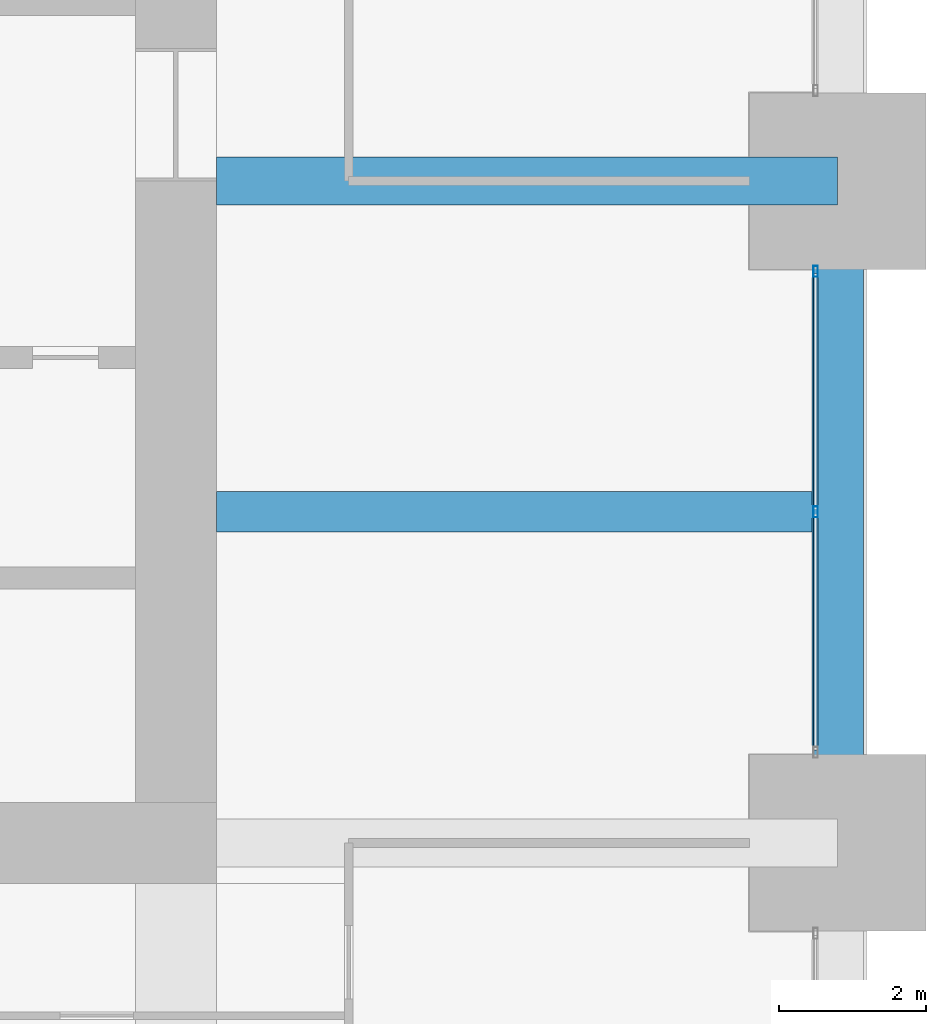
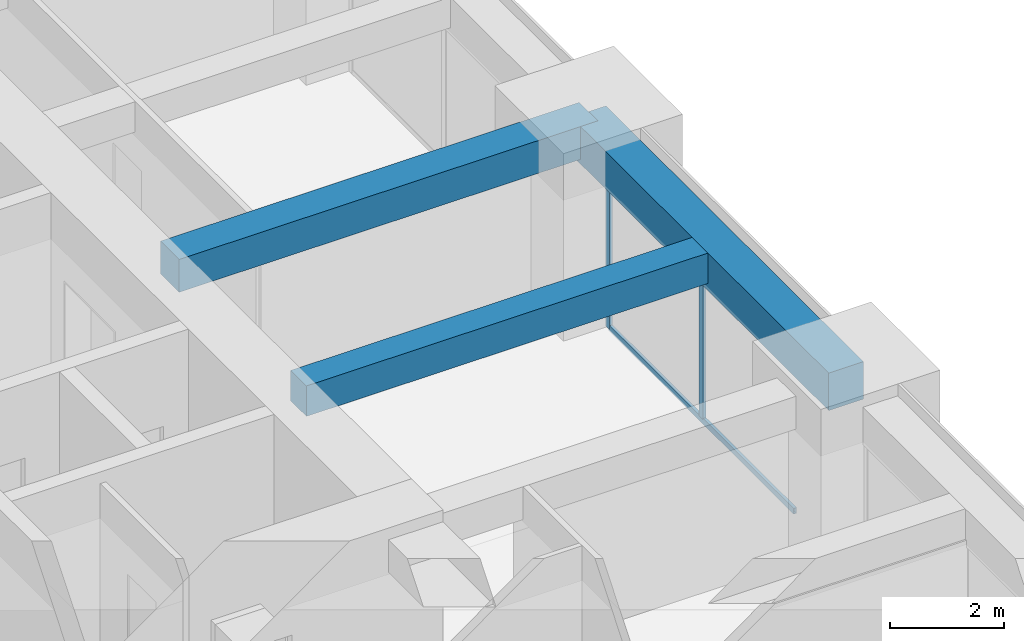
# One storey, part 18 of 33: 3 beams, 3 members, 1 element without a shape of its own.
"""IFC4 building model written with IfcOpenShell, lengths in metres."""

from ifc_helpers import new_model, si_unit, direction, frame, origin, origin_2d, place, context, subcontext, project, spatial, rectangle, hollow_rectangle, extrude, material, material_profile, profile_set, type_object, element, aggregate, save


model = new_model("IFC4")

# Units and contexts
model_context = context("Model", 3, precision=1e-05, world=origin(), true_north=direction((0.0, 1.0)))
body_context = subcontext(model_context, "Body", "Model", "MODEL_VIEW")
ifc_project = project(units=[si_unit("LENGTHUNIT", "METRE"), si_unit("AREAUNIT", "SQUARE_METRE"), si_unit("VOLUMEUNIT", "CUBIC_METRE"), si_unit("PLANEANGLEUNIT", "RADIAN"), si_unit("MASSUNIT", "GRAM", prefix="KILO")], contexts=[model_context])

# Site, building, storey
site_placement = place(None, origin())
site = spatial("IfcSite", under=ifc_project, at=site_placement, CompositionType="ELEMENT")
building_placement = place(site_placement, origin())
building = spatial("IfcBuilding", under=site, at=building_placement, Name="Zorevar Civic Tower", CompositionType="ELEMENT")
storey_placement = place(building_placement, frame((0.0, 0.0, 194.199951171875)))
storey = spatial("IfcBuildingStorey", under=building, at=storey_placement, Name="L47", CompositionType="ELEMENT", Elevation=194.199951171875)

# Beams
ifc_material_1 = material(Name="Concrete C50/60", Category="concrete")
ifc_material_profile_1 = material_profile(ifc_material_1, rectangle(XDim=0.550048828125, YDim=0.64990234375, at=origin_2d()), Name="RC 550x650")
ifc_profile_set_1 = profile_set([ifc_material_profile_1], Name="Concrete C50/60")
beam_type_1 = type_object("IfcBeamType", Name="Beam RC 550x650", PredefinedType="BEAM", material=ifc_profile_set_1)
beam_1_placement = place(storey_placement, frame((45.550048828125, 22.5, 3.425048828125), z_axis=(1.0, 0.0, 0.0), x_axis=(0.0, 1.0, 0.0)))
element("IfcBeam", 1, at=beam_1_placement, inside=storey, type_object=beam_type_1, Name="Secondary beam L48", PredefinedType="BEAM", context=body_context, shape_type="SweptSolid", body=[
    extrude(rectangle(XDim=0.550048828125, YDim=0.64990234375, at=origin_2d()), origin(), (0.0, 0.0, 1.0), 8.099853515625),
])
ifc_material_2 = material(Name="Concrete C50/60", Category="concrete")
ifc_material_profile_2 = material_profile(ifc_material_2, rectangle(XDim=0.64990234375, YDim=0.699951171875, at=origin_2d()), Name="RC 650x700")
ifc_profile_set_2 = profile_set([ifc_material_profile_2], Name="Concrete C50/60")
beam_type_2 = type_object("IfcBeamType", Name="Beam RC 650x700", PredefinedType="BEAM", material=ifc_profile_set_2)
beam_2_placement = place(storey_placement, frame((45.550048828125, 27.0, 3.400146484375), z_axis=(1.0, 0.0, 0.0), x_axis=(0.0, 1.0, 0.0)))
element("IfcBeam", 2, at=beam_2_placement, inside=storey, type_object=beam_type_2, Name="Girder L48", PredefinedType="BEAM", context=body_context, shape_type="SweptSolid", body=[
    extrude(rectangle(XDim=0.64990234375, YDim=0.699951171875, at=origin_2d()), origin(), (0.0, 0.0, 1.0), 8.449951171875),
])

# Curtain wall, members
ifc_material_3 = material(Name="Dark grey solar-control glass in black aluminium frame", Category="aluminium")
curtain_wall_type = type_object("IfcCurtainWallType", Name="Curtain wall CW4 high zone", PredefinedType="NOTDEFINED", material=ifc_material_3)
curtain_wall_placement = place(storey_placement, origin())
curtain_wall = element("IfcCurtainWall", 3, at=curtain_wall_placement, inside=storey, type_object=curtain_wall_type, Name="CW4 L47", PredefinedType="NOTDEFINED")
ifc_material_4 = material(Name="Aluminium, black anodised", Category="aluminium")
ifc_material_profile_3 = material_profile(ifc_material_4, hollow_rectangle(XDim=0.06005859375, YDim=0.14990234375, WallThickness=0.00390625, at=origin_2d()), Name="AL 150x60x4")
ifc_profile_set_3 = profile_set([ifc_material_profile_3], Name="Aluminium, black anodised")
member_type_1 = type_object("IfcMemberType", Name="CW4 mullion AL 150x60x4", PredefinedType="MULLION", material=ifc_profile_set_3)
member_1_placement = place(storey_placement, frame((53.699951171875, 22.5, 0.06005859375), z_axis=(0.0, 0.0, 1.0), x_axis=(-1.0, 0.0, 0.0)))
member_1 = element("IfcMember", 4, at=member_1_placement, type_object=member_type_1, Name="CW4 mullion 2", PredefinedType="MULLION", context=body_context, shape_type="SweptSolid", body=[
    extrude(hollow_rectangle(XDim=0.06005859375, YDim=0.14990234375, WallThickness=0.00390625, at=origin_2d()), origin(), (0.0, 0.0, 1.0), 2.889892578125),
])
member_2_placement = place(storey_placement, frame((53.699951171875, 25.77001953125, 0.0), z_axis=(0.0, 0.0, 1.0), x_axis=(-1.0, 0.0, 0.0)))
member_2 = element("IfcMember", 5, at=member_2_placement, type_object=member_type_1, Name="CW4 mullion 3", PredefinedType="MULLION", context=body_context, shape_type="SweptSolid", body=[
    extrude(hollow_rectangle(XDim=0.06005859375, YDim=0.14990234375, WallThickness=0.00390625, at=origin_2d()), origin(), (0.0, 0.0, 1.0), 2.949951171875),
])
ifc_material_5 = material(Name="Aluminium, black anodised", Category="aluminium")
ifc_material_profile_4 = material_profile(ifc_material_5, hollow_rectangle(XDim=0.06005859375, YDim=0.1201171875, WallThickness=0.0029296875, at=origin_2d()), Name="AL 120x60x3")
ifc_profile_set_4 = profile_set([ifc_material_profile_4], Name="Aluminium, black anodised")
member_type_2 = type_object("IfcMemberType", Name="CW4 transom AL 120x60x3", PredefinedType="USERDEFINED", material=ifc_profile_set_4)
member_3_placement = place(storey_placement, frame((53.699951171875, 19.260009765625, 0.030029296875), z_axis=(0.0, 1.0, 0.0), x_axis=(-1.0, 0.0, 0.0)))
member_3 = element("IfcMember", 6, at=member_3_placement, type_object=member_type_2, Name="CW4 sill transom", ObjectType="TRANSOM", PredefinedType="USERDEFINED", context=body_context, shape_type="SweptSolid", body=[
    extrude(hollow_rectangle(XDim=0.06005859375, YDim=0.1201171875, WallThickness=0.0029296875, at=origin_2d()), origin(), (0.0, 0.0, 1.0), 6.47998046875),
])
aggregate(curtain_wall, [member_1, member_2, member_3])

# Beam
ifc_material_6 = material(Name="Concrete C50/60", Category="concrete")
ifc_material_profile_5 = material_profile(ifc_material_6, rectangle(XDim=0.699951171875, YDim=0.800048828125, at=origin_2d()), Name="RC 700x800")
ifc_profile_set_5 = profile_set([ifc_material_profile_5], Name="Concrete C50/60")
beam_type_3 = type_object("IfcBeamType", Name="Edge beam RC 700x800", PredefinedType="SPANDREL", material=ifc_profile_set_5)
beam_3_placement = place(storey_placement, frame((54.0, 18.0, 3.35009765625), z_axis=(0.0, 1.0, 0.0), x_axis=(-1.0, 0.0, 0.0)))
element("IfcBeam", 7, at=beam_3_placement, inside=storey, type_object=beam_type_3, Name="Edge beam L48", PredefinedType="SPANDREL", context=body_context, shape_type="SweptSolid", body=[
    extrude(rectangle(XDim=0.699951171875, YDim=0.800048828125, at=origin_2d()), origin(), (0.0, 0.0, 1.0), 9.0),
])

save(model, "model.ifc")
